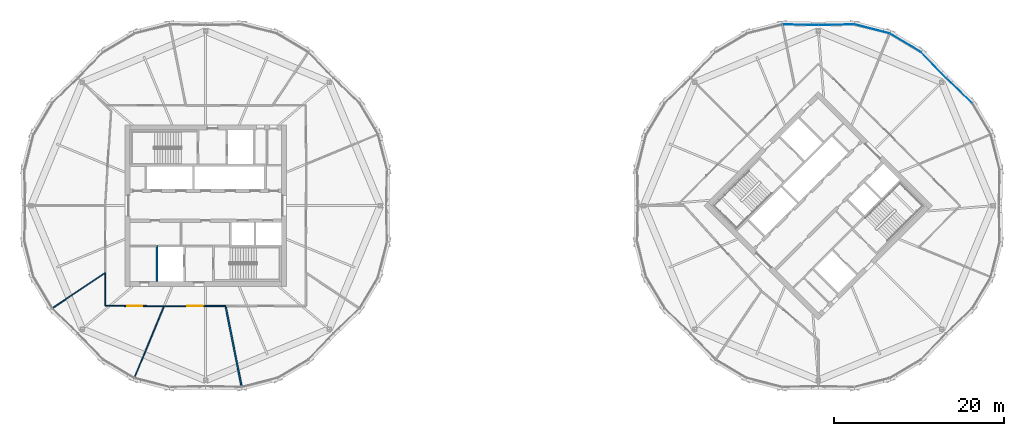
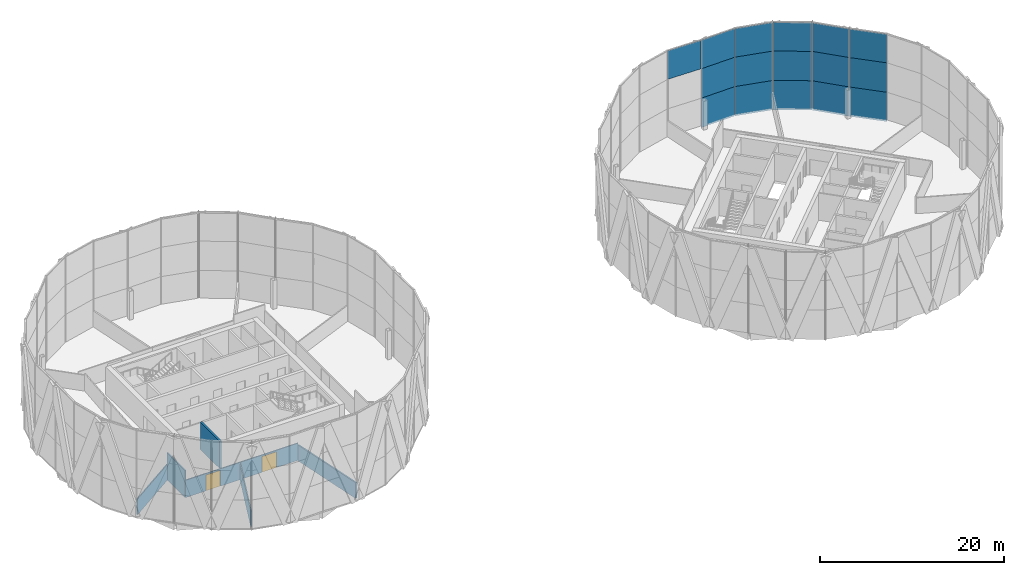
# One storey, part 18 of 25: 16 plates, 7 walls, 2 doors, 2 openings, 3 elements without a shape of their own.
"""IFC4 building model written with IfcOpenShell, lengths in metres."""

from ifc_helpers import new_model, si_unit, direction, frame, frame_2d, origin, origin_2d, place, context, subcontext, project, spatial, rectangle, extrude, material, layer, layer_set, type_object, element, fill, aggregate, save


model = new_model("IFC4")

# Units and contexts
model_context = context("Model", 3, precision=1e-05, world=origin(), true_north=direction((0.0, 1.0)))
body_context = subcontext(model_context, "Body", "Model", "MODEL_VIEW")
ifc_project = project(units=[si_unit("LENGTHUNIT", "METRE"), si_unit("AREAUNIT", "SQUARE_METRE"), si_unit("VOLUMEUNIT", "CUBIC_METRE"), si_unit("PLANEANGLEUNIT", "RADIAN"), si_unit("MASSUNIT", "GRAM", prefix="KILO")], contexts=[model_context])

# Site, building, storey
site_placement = place(None, origin())
site = spatial("IfcSite", under=ifc_project, at=site_placement, CompositionType="ELEMENT")
building_placement = place(site_placement, origin())
building = spatial("IfcBuilding", under=site, at=building_placement, Name="Ogive Gate Towers", CompositionType="ELEMENT")
storey_placement = place(building_placement, frame((0.0, 0.0, 196.800048828125)))
storey = spatial("IfcBuildingStorey", under=building, at=storey_placement, Name="L47", CompositionType="ELEMENT", Elevation=196.800048828125)

# Curtain wall, plates
ifc_material_1 = material(Name="Pale metal aluminium", Category="aluminium")
curtain_wall_type = type_object("IfcCurtainWallType", Name="Tower unitised wall, high zone", PredefinedType="NOTDEFINED", material=ifc_material_1)
curtain_wall_1_placement = place(storey_placement, origin())
curtain_wall_1 = element("IfcCurtainWall", 1, at=curtain_wall_1_placement, inside=storey, type_object=curtain_wall_type, Name="CW2 T2 ECW01", PredefinedType="NOTDEFINED")
ifc_material_2 = material(Name="Clear glass", Category="glass")
ifc_layer_1 = layer(ifc_material_2, 0.028076171875)
ifc_layer_set_1 = layer_set([ifc_layer_1], Name="Tower unitised wall, high zone glass panel")
plate_type = type_object("IfcPlateType", Name="Tower unitised wall, high zone glass panel", PredefinedType="CURTAIN_PANEL", material=ifc_layer_set_1)
plate_1_placement = place(storey_placement, frame((52.52880859375, 13.540771484375, -0.300048828125), z_axis=(0.0, 0.0, 1.0), x_axis=(-0.72114385321, 0.692785351302, 0.0)))
plate_1 = element("IfcPlate", 2, at=plate_1_placement, type_object=plate_type, Name="CW2 glass panel", PredefinedType="CURTAIN_PANEL", context=body_context, shape_type="SweptSolid", body=[
    extrude(rectangle(XDim=4.17236328125, YDim=0.028076171875, at=origin_2d()), origin(), (0.0, 0.0, 1.0), 3.89990234375),
])
plate_2_placement = place(storey_placement, frame((52.52880859375, 13.540771484375, 3.60009765625), z_axis=(0.0, 0.0, 1.0), x_axis=(-0.72114385321, 0.692785351302, 0.0)))
plate_2 = element("IfcPlate", 3, at=plate_2_placement, type_object=plate_type, Name="CW2 glass panel", PredefinedType="CURTAIN_PANEL", context=body_context, shape_type="SweptSolid", body=[
    extrude(rectangle(XDim=4.17236328125, YDim=0.028076171875, at=origin_2d()), origin(), (0.0, 0.0, 1.0), 3.89990234375),
])
plate_3_placement = place(storey_placement, frame((52.52880859375, 13.540771484375, 7.5), z_axis=(0.0, 0.0, 1.0), x_axis=(-0.72114385321, 0.692785351302, 0.0)))
plate_3 = element("IfcPlate", 4, at=plate_3_placement, type_object=plate_type, Name="CW2 glass panel", PredefinedType="CURTAIN_PANEL", context=body_context, shape_type="SweptSolid", body=[
    extrude(rectangle(XDim=4.17236328125, YDim=0.028076171875, at=origin_2d()), origin(), (0.0, 0.0, 1.0), 3.803955078125),
])
aggregate(curtain_wall_1, [plate_1, plate_2, plate_3])

curtain_wall_2_placement = place(storey_placement, origin())
curtain_wall_2 = element("IfcCurtainWall", 5, at=curtain_wall_2_placement, inside=storey, type_object=curtain_wall_type, Name="CW2 T2 ECW02", PredefinedType="NOTDEFINED")
plate_4_placement = place(storey_placement, frame((49.540771484375, 16.52880859375, -0.300048828125), z_axis=(0.0, 0.0, 1.0), x_axis=(-0.692785351302, 0.72114385321, 0.0)))
plate_4 = element("IfcPlate", 6, at=plate_4_placement, type_object=plate_type, Name="CW2 glass panel", PredefinedType="CURTAIN_PANEL", context=body_context, shape_type="SweptSolid", body=[
    extrude(rectangle(XDim=4.17236328125, YDim=0.028076171875, at=origin_2d()), origin(), (0.0, 0.0, 1.0), 3.89990234375),
])
plate_5_placement = place(storey_placement, frame((49.540771484375, 16.52880859375, 3.60009765625), z_axis=(0.0, 0.0, 1.0), x_axis=(-0.692785351302, 0.72114385321, 0.0)))
plate_5 = element("IfcPlate", 7, at=plate_5_placement, type_object=plate_type, Name="CW2 glass panel", PredefinedType="CURTAIN_PANEL", context=body_context, shape_type="SweptSolid", body=[
    extrude(rectangle(XDim=4.17236328125, YDim=0.028076171875, at=origin_2d()), origin(), (0.0, 0.0, 1.0), 3.89990234375),
])
plate_6_placement = place(storey_placement, frame((49.540771484375, 16.52880859375, 7.5), z_axis=(0.0, 0.0, 1.0), x_axis=(-0.692785351302, 0.72114385321, 0.0)))
plate_6 = element("IfcPlate", 8, at=plate_6_placement, type_object=plate_type, Name="CW2 glass panel", PredefinedType="CURTAIN_PANEL", context=body_context, shape_type="SweptSolid", body=[
    extrude(rectangle(XDim=4.17236328125, YDim=0.028076171875, at=origin_2d()), origin(), (0.0, 0.0, 1.0), 3.803955078125),
])
plate_7_placement = place(storey_placement, frame((46.231689453125, 19.15380859375, -0.300048828125), z_axis=(0.0, 0.0, 1.0), x_axis=(-0.858950959966, 0.512057856471, 0.0)))
plate_7 = element("IfcPlate", 9, at=plate_7_placement, type_object=plate_type, Name="CW2 glass panel", PredefinedType="CURTAIN_PANEL", context=body_context, shape_type="SweptSolid", body=[
    extrude(rectangle(XDim=4.228515625, YDim=0.028076171875, at=origin_2d()), origin(), (0.0, 0.0, 1.0), 3.89990234375),
])
plate_8_placement = place(storey_placement, frame((46.231689453125, 19.15380859375, 3.60009765625), z_axis=(0.0, 0.0, 1.0), x_axis=(-0.858950959966, 0.512057856471, 0.0)))
plate_8 = element("IfcPlate", 10, at=plate_8_placement, type_object=plate_type, Name="CW2 glass panel", PredefinedType="CURTAIN_PANEL", context=body_context, shape_type="SweptSolid", body=[
    extrude(rectangle(XDim=4.228515625, YDim=0.028076171875, at=origin_2d()), origin(), (0.0, 0.0, 1.0), 3.89990234375),
])
plate_9_placement = place(storey_placement, frame((46.231689453125, 19.15380859375, 7.5), z_axis=(0.0, 0.0, 1.0), x_axis=(-0.858950959966, 0.512057856471, 0.0)))
plate_9 = element("IfcPlate", 11, at=plate_9_placement, type_object=plate_type, Name="CW2 glass panel", PredefinedType="CURTAIN_PANEL", context=body_context, shape_type="SweptSolid", body=[
    extrude(rectangle(XDim=4.228515625, YDim=0.028076171875, at=origin_2d()), origin(), (0.0, 0.0, 1.0), 3.803955078125),
])
plate_10_placement = place(storey_placement, frame((42.30908203125, 20.778564453125, -0.300048828125), z_axis=(0.0, 0.0, 1.0), x_axis=(-0.969449631169, 0.245290465828, 0.0)))
plate_10 = element("IfcPlate", 12, at=plate_10_placement, type_object=plate_type, Name="CW2 glass panel", PredefinedType="CURTAIN_PANEL", context=body_context, shape_type="SweptSolid", body=[
    extrude(rectangle(XDim=4.228515625, YDim=0.028076171875, at=origin_2d()), origin(), (0.0, 0.0, 1.0), 3.89990234375),
])
plate_11_placement = place(storey_placement, frame((42.30908203125, 20.778564453125, 3.60009765625), z_axis=(0.0, 0.0, 1.0), x_axis=(-0.969449631169, 0.245290465828, 0.0)))
plate_11 = element("IfcPlate", 13, at=plate_11_placement, type_object=plate_type, Name="CW2 glass panel", PredefinedType="CURTAIN_PANEL", context=body_context, shape_type="SweptSolid", body=[
    extrude(rectangle(XDim=4.228515625, YDim=0.028076171875, at=origin_2d()), origin(), (0.0, 0.0, 1.0), 3.89990234375),
])
plate_12_placement = place(storey_placement, frame((42.30908203125, 20.778564453125, 7.5), z_axis=(0.0, 0.0, 1.0), x_axis=(-0.969449631169, 0.245290465828, 0.0)))
plate_12 = element("IfcPlate", 14, at=plate_12_placement, type_object=plate_type, Name="CW2 glass panel", PredefinedType="CURTAIN_PANEL", context=body_context, shape_type="SweptSolid", body=[
    extrude(rectangle(XDim=4.228515625, YDim=0.028076171875, at=origin_2d()), origin(), (0.0, 0.0, 1.0), 3.803955078125),
])
plate_13_placement = place(storey_placement, frame((38.11279296875, 21.262451171875, -0.300048828125), z_axis=(0.0, 0.0, 1.0), x_axis=(-0.999798928628, -0.020052489003, 0.0)))
plate_13 = element("IfcPlate", 15, at=plate_13_placement, type_object=plate_type, Name="CW2 glass panel", PredefinedType="CURTAIN_PANEL", context=body_context, shape_type="SweptSolid", body=[
    extrude(rectangle(XDim=4.17236328125, YDim=0.028076171875, at=origin_2d()), origin(), (0.0, 0.0, 1.0), 3.89990234375),
])
plate_14_placement = place(storey_placement, frame((38.11279296875, 21.262451171875, 3.60009765625), z_axis=(0.0, 0.0, 1.0), x_axis=(-0.999798928628, -0.020052489003, 0.0)))
plate_14 = element("IfcPlate", 16, at=plate_14_placement, type_object=plate_type, Name="CW2 glass panel", PredefinedType="CURTAIN_PANEL", context=body_context, shape_type="SweptSolid", body=[
    extrude(rectangle(XDim=4.17236328125, YDim=0.028076171875, at=origin_2d()), origin(), (0.0, 0.0, 1.0), 3.89990234375),
])
plate_15_placement = place(storey_placement, frame((38.11279296875, 21.262451171875, 7.5), z_axis=(0.0, 0.0, 1.0), x_axis=(-0.999798928628, -0.020052489003, 0.0)))
plate_15 = element("IfcPlate", 17, at=plate_15_placement, type_object=plate_type, Name="CW2 glass panel", PredefinedType="CURTAIN_PANEL", context=body_context, shape_type="SweptSolid", body=[
    extrude(rectangle(XDim=4.17236328125, YDim=0.028076171875, at=origin_2d()), origin(), (0.0, 0.0, 1.0), 3.803955078125),
])
aggregate(curtain_wall_2, [plate_4, plate_5, plate_6, plate_7, plate_8, plate_9, plate_10, plate_11, plate_12, plate_13, plate_14, plate_15])

# Curtain wall, plate
curtain_wall_3_placement = place(storey_placement, origin())
curtain_wall_3 = element("IfcCurtainWall", 18, at=curtain_wall_3_placement, inside=storey, type_object=curtain_wall_type, Name="CW2 T2 ECW03", PredefinedType="NOTDEFINED")
plate_16_placement = place(storey_placement, frame((33.88720703125, 21.262451171875, 7.5), z_axis=(0.0, 0.0, 1.0), x_axis=(-0.999798928628, 0.020052489003, 0.0)))
plate_16 = element("IfcPlate", 19, at=plate_16_placement, type_object=plate_type, Name="CW2 glass panel", PredefinedType="CURTAIN_PANEL", context=body_context, shape_type="SweptSolid", body=[
    extrude(rectangle(XDim=4.17236328125, YDim=0.028076171875, at=origin_2d()), origin(), (0.0, 0.0, 1.0), 3.803955078125),
])
aggregate(curtain_wall_3, [plate_16])

# Walls
ifc_material_3 = material(Name="Gypsum board acoustic partition")
ifc_layer_2 = layer(ifc_material_3, 0.175048828125)
ifc_layer_set_2 = layer_set([ifc_layer_2], Name="Acoustic partition 175")
wall_type_1 = type_object("IfcWallType", Name="Acoustic partition 175", PredefinedType="PARTITIONING", material=ifc_layer_set_2)
wall_1_placement = place(storey_placement, frame((-31.790283203125, -21.205810546875, 0.0), z_axis=(0.0, 0.0, 1.0), x_axis=(-0.194714091205, 0.980860042354, 0.0)))
element("IfcWall", 20, at=wall_1_placement, inside=storey, type_object=wall_type_1, Name="Partition T1-L47-008", PredefinedType="PARTITIONING", context=body_context, shape_type="SweptSolid", body=[
    extrude(rectangle(XDim=9.51171875, YDim=0.175048828125, at=frame_2d((4.755859375, 0.0))), origin(), (0.0, 0.0, 1.0), 2.099853515625),
])
ifc_material_4 = material(Name="Gypsum board partition")
ifc_layer_3 = layer(ifc_material_4, 0.125)
ifc_layer_set_3 = layer_set([ifc_layer_3], Name="Partition 125")
wall_type_2 = type_object("IfcWallType", Name="Partition 125", PredefinedType="PARTITIONING", material=ifc_layer_set_3)
wall_2_placement = place(storey_placement, frame((-53.971435546875, -12.01806640625, 0.0), z_axis=(0.0, 0.0, 1.0), x_axis=(0.831266378973, 0.555874272826, 0.0)))
element("IfcWall", 21, at=wall_2_placement, inside=storey, type_object=wall_type_2, Name="Partition T1-L47-006", PredefinedType="PARTITIONING", context=body_context, shape_type="SweptSolid", body=[
    extrude(rectangle(XDim=7.386474609375, YDim=0.125, at=frame_2d((3.693359375, 0.0))), origin(), (0.0, 0.0, 1.0), 2.099853515625),
])
wall_3_placement = place(storey_placement, frame((-44.35009765625, -20.1591796875, 0.0), z_axis=(0.0, 0.0, 1.0), x_axis=(0.382679707877, 0.923881075236, 0.0)))
element("IfcWall", 22, at=wall_3_placement, inside=storey, type_object=wall_type_2, Name="Partition T1-L47-007", PredefinedType="PARTITIONING", context=body_context, shape_type="SweptSolid", body=[
    extrude(rectangle(XDim=8.986572265625, YDim=0.125, at=frame_2d((4.4931640625, 0.0))), origin(), (0.0, 0.0, 1.0), 2.099853515625),
])

# Wall, opening, door
wall_4_placement = place(storey_placement, frame((-47.780029296875, -11.780029296875, 0.0), z_axis=(0.0, 0.0, 1.0), x_axis=(0.999996280925, -0.002727294784, 0.0)))
wall_4 = element("IfcWall", 23, at=wall_4_placement, inside=storey, type_object=wall_type_2, Name="Partition T1-L47-011", PredefinedType="PARTITIONING", context=body_context, shape_type="SweptSolid", body=[
    extrude(rectangle(XDim=6.892822265625, YDim=0.125, at=frame_2d((3.4462890625, 0.0))), origin(), (0.0, 0.0, 1.0), 2.300048828125),
])
opening_1_placement = place(wall_4_placement, frame((2.5458984375, 0.0, 0.0)))
opening_1 = element("IfcOpeningElement", 24, at=opening_1_placement, cuts=wall_4, Name="Opening T1-L47-D02", PredefinedType="OPENING", context=body_context, shape_type="SweptSolid", body=[
    extrude(rectangle(XDim=1.800048828125, YDim=2.10009765625, at=frame_2d((0.89990234375, 1.050048828125))), frame((0.0, 0.072509765625, 0.0), z_axis=(0.0, -1.0, 0.0), x_axis=(1.0, 0.0, 0.0)), (0.0, 0.0, 1.0), 0.14501953125),
])
ifc_material_5 = material(Name="Timber door", Category="wood")
door_type = type_object("IfcDoorType", Name="Door pair 1800", OperationType="NOTDEFINED", PredefinedType="DOOR", material=ifc_material_5)
door_1_placement = place(opening_1_placement, origin())
door_1 = element("IfcDoor", 25, at=door_1_placement, inside=storey, type_object=door_type, Name="Door T1-L47-D02", OperationType="DOUBLE_DOOR_DOUBLE_SWING", OverallHeight=2.10009765625, OverallWidth=1.800048828125, PredefinedType="DOOR", context=body_context, shape_type="SweptSolid", body=[
    extrude(rectangle(XDim=1.800048828125, YDim=2.10009765625, at=frame_2d((0.89990234375, 1.050048828125))), frame((0.0, 0.02490234375, 0.0), z_axis=(0.0, -1.0, 0.0), x_axis=(1.0, 0.0, 0.0)), (0.0, 0.0, 1.0), 0.050048828125),
])
fill(opening_1, door_1)

# Wall
wall_5_placement = place(storey_placement, frame((-47.779296875, -7.877197265625, 0.0), z_axis=(0.0, 0.0, 1.0), x_axis=(-0.000187664203, -0.999999982391, 0.0)))
element("IfcWall", 26, at=wall_5_placement, inside=storey, type_object=wall_type_2, Name="Partition T1-L47-012", PredefinedType="PARTITIONING", context=body_context, shape_type="SweptSolid", body=[
    extrude(rectangle(XDim=3.90283203125, YDim=0.125, at=frame_2d((1.951416015625, 0.0))), origin(), (0.0, 0.0, 1.0), 3.599853515625),
])

# Wall, opening, door
wall_6_placement = place(storey_placement, frame((-40.88720703125, -11.798828125, 0.0), z_axis=(0.0, 0.0, 1.0), x_axis=(0.999999340527, 0.001148453896, 0.0)))
wall_6 = element("IfcWall", 27, at=wall_6_placement, inside=storey, type_object=wall_type_2, Name="Partition T1-L47-013", PredefinedType="PARTITIONING", context=body_context, shape_type="SweptSolid", body=[
    extrude(rectangle(XDim=7.227783203125, YDim=0.125, at=frame_2d((3.61376953125, 0.0))), origin(), (0.0, 0.0, 1.0), 2.300048828125),
])
opening_2_placement = place(wall_6_placement, frame((2.714111328125, 0.0, 0.0)))
opening_2 = element("IfcOpeningElement", 28, at=opening_2_placement, cuts=wall_6, Name="Opening T1-L47-D03", PredefinedType="OPENING", context=body_context, shape_type="SweptSolid", body=[
    extrude(rectangle(XDim=1.800048828125, YDim=2.10009765625, at=frame_2d((0.89990234375, 1.050048828125))), frame((0.0, 0.072509765625, 0.0), z_axis=(0.0, -1.0, 0.0), x_axis=(1.0, 0.0, 0.0)), (0.0, 0.0, 1.0), 0.14501953125),
])
door_2_placement = place(opening_2_placement, origin())
door_2 = element("IfcDoor", 29, at=door_2_placement, inside=storey, type_object=door_type, Name="Door T1-L47-D03", OperationType="DOUBLE_DOOR_DOUBLE_SWING", OverallHeight=2.10009765625, OverallWidth=1.800048828125, PredefinedType="DOOR", context=body_context, shape_type="SweptSolid", body=[
    extrude(rectangle(XDim=1.800048828125, YDim=2.10009765625, at=frame_2d((0.89990234375, 1.050048828125))), frame((0.0, 0.02490234375, 0.0), z_axis=(0.0, -1.0, 0.0), x_axis=(1.0, 0.0, 0.0)), (0.0, 0.0, 1.0), 0.050048828125),
])
fill(opening_2, door_2)

# Wall
ifc_material_6 = material(Name="Concrete C60/75", Category="concrete")
ifc_layer_4 = layer(ifc_material_6, 0.25)
ifc_layer_set_4 = layer_set([ifc_layer_4], Name="Shaft wall 250 mm")
wall_type_3 = type_object("IfcWallType", Name="Shaft wall 250 mm", PredefinedType="SHEAR", material=ifc_layer_set_4)
wall_7_placement = place(storey_placement, frame((-41.699951171875, -8.89990234375, 0.0), z_axis=(0.0, 0.0, 1.0), x_axis=(0.0, 1.0, 0.0)))
element("IfcWall", 30, at=wall_7_placement, inside=storey, type_object=wall_type_3, Name="T1 L47 Shaft wall 250 mm", PredefinedType="SHEAR", context=body_context, shape_type="SweptSolid", body=[
    extrude(rectangle(XDim=4.224853515625, YDim=0.25, at=frame_2d((2.1123046875, 0.0))), origin(), (0.0, 0.0, 1.0), 3.599853515625),
])

save(model, "model.ifc")
